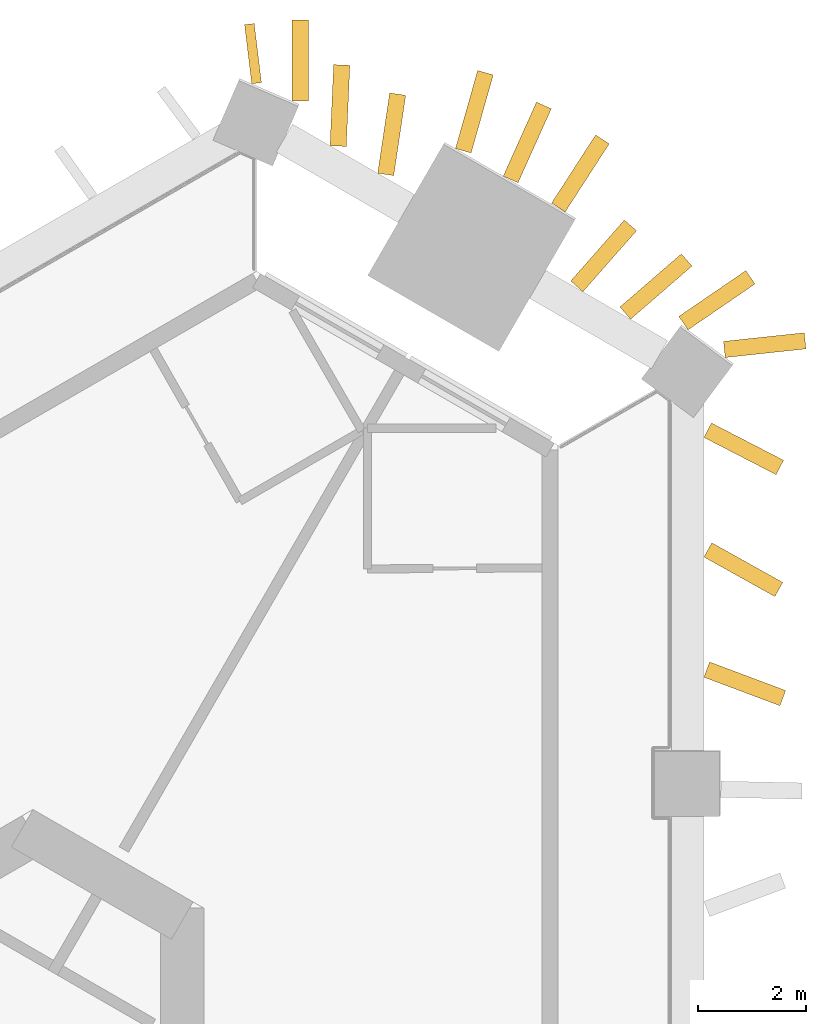
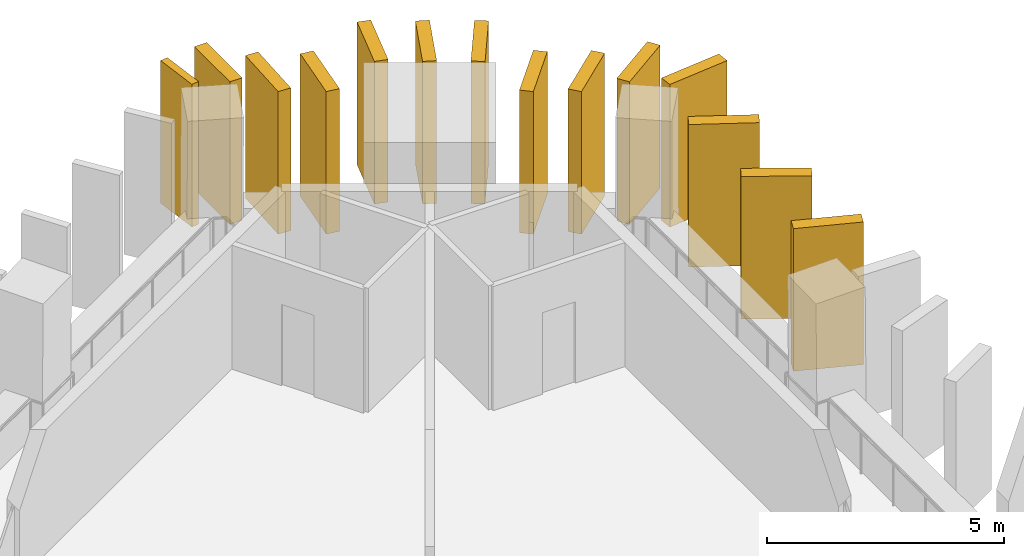
# One storey, part 10 of 10: 14 shading devices.
"""IFC4 building model written with IfcOpenShell, lengths in metres."""

from ifc_helpers import new_model, si_unit, direction, frame, frame_2d, origin, place, context, subcontext, project, spatial, rectangle, extrude, material, layer, layer_set, type_object, element, save


model = new_model("IFC4")

# Units and contexts
model_context = context("Model", 3, precision=1e-05, world=origin(), true_north=direction((0.0, 1.0)))
body_context = subcontext(model_context, "Body", "Model", "MODEL_VIEW")
ifc_project = project(units=[si_unit("LENGTHUNIT", "METRE"), si_unit("AREAUNIT", "SQUARE_METRE"), si_unit("VOLUMEUNIT", "CUBIC_METRE"), si_unit("PLANEANGLEUNIT", "RADIAN"), si_unit("MASSUNIT", "GRAM", prefix="KILO")], contexts=[model_context])

# Site, building, storey
site_placement = place(None, origin())
site = spatial("IfcSite", under=ifc_project, at=site_placement, CompositionType="ELEMENT")
building_placement = place(site_placement, origin())
building = spatial("IfcBuilding", under=site, at=building_placement, Name="Jabali Bay Hotel Tower and Convention Centre", CompositionType="ELEMENT")
storey_placement = place(building_placement, frame((0.0, 0.0, 41.10009765625)))
storey = spatial("IfcBuildingStorey", under=building, at=storey_placement, Name="L08", CompositionType="ELEMENT", Elevation=41.10009765625)

# Shading devices
ifc_material = material(Name="Precast concrete C60", Category="concrete")
ifc_layer_1 = layer(ifc_material, 0.179931640625)
ifc_layer_set_1 = layer_set([ifc_layer_1], Name="Precast concrete C60")
shading_device_type_1 = type_object("IfcShadingDeviceType", Name="Precast fin 3680 x 1100", PredefinedType="USERDEFINED", material=ifc_layer_set_1)
shading_device_1_placement = place(storey_placement, frame((90.85400390625, 117.367919921875, 0.010009765625), z_axis=(0.0, 0.0, 1.0), x_axis=(-0.120974355957, 0.992655632735, 0.0)))
element("IfcShadingDevice", 1, at=shading_device_1_placement, inside=storey, type_object=shading_device_type_1, Name="Fin L08 116", ObjectType="FIN", PredefinedType="USERDEFINED", context=body_context, shape_type="SweptSolid", body=[
    extrude(rectangle(XDim=1.099853515625, YDim=0.179931640625, at=frame_2d((0.5498046875, 0.0))), origin(), (0.0, 0.0, 1.0), 3.679931640625),
])
ifc_layer_2 = layer(ifc_material, 0.300048828125)
ifc_layer_set_2 = layer_set([ifc_layer_2], Name="Precast concrete C60")
shading_device_type_2 = type_object("IfcShadingDeviceType", Name="Precast fin 3680 x 1500", PredefinedType="USERDEFINED", material=ifc_layer_set_2)
for number, where, z_axis, x_axis, name in (
    (2, (99.1708984375, 106.534423828125, 0.010009765625), (0.0, 0.0, 1.0), (0.936402736942, -0.350927220728, 0.0), "Fin L08 026"),
    (3, (99.19140625, 108.74560546875, 0.010009765625), (0.0, 0.0, 1.0), (0.873226695881, -0.487314208289, 0.0), "Fin L08 027"),
    (4, (99.18701171875, 110.956787109375, 0.010009765625), (0.0, 0.0, 1.0), (0.88862493644, -0.458634628368, 0.0), "Fin L08 028"),
    (5, (98.739013671875, 112.934814453125, 0.010009765625), (0.0, 0.0, 1.0), (0.825151540912, 0.564911439547, 0.0), "Fin L08 029"),
    (6, (97.665283203125, 113.120361328125, 0.010009765625), (0.0, 0.0, 1.0), (0.755984355904, 0.654589683411, 0.0), "Fin L08 030"),
    (7, (96.76953125, 113.61474609375, 0.010009765625), (0.0, 0.0, 1.0), (0.66075996211, 0.750597277155, 0.0), "Fin L08 031"),
    (8, (96.428955078125, 115.070556640625, 0.010009765625), (0.0, 0.0, 1.0), (0.54250868088, 0.840050195625, 0.0), "Fin L08 032"),
):
    element("IfcShadingDevice", number, at=place(storey_placement, frame(where, z_axis=z_axis, x_axis=x_axis)), inside=storey, type_object=shading_device_type_2, Name=name, ObjectType="FIN", PredefinedType="USERDEFINED", context=body_context, shape_type="SweptSolid", body=[
        extrude(rectangle(XDim=1.5, YDim=0.300048828125, at=frame_2d((0.75, 0.0))), origin(), (0.0, 0.0, 1.0), 3.679931640625),
    ])
shading_device_2_placement = place(storey_placement, frame((95.547119140625, 115.588623046875, 0.010009765625), z_axis=(0.0, 0.0, 1.0), x_axis=(0.409383042566, 0.912362605798, 0.0)))
element("IfcShadingDevice", 9, at=shading_device_2_placement, inside=storey, type_object=shading_device_type_2, Name="Fin L08 033", ObjectType="FIN", PredefinedType="USERDEFINED", context=body_context, shape_type="SweptSolid", body=[
    extrude(rectangle(XDim=1.499755859375, YDim=0.300048828125, at=frame_2d((0.75, 0.0))), origin(), (0.0, 0.0, 1.0), 3.679931640625),
])
shading_device_3_placement = place(storey_placement, frame((94.672119140625, 116.11865234375, 0.010009765625), z_axis=(0.0, 0.0, 1.0), x_axis=(0.273280513115, 0.961934385055, 0.0)))
element("IfcShadingDevice", 10, at=shading_device_3_placement, inside=storey, type_object=shading_device_type_2, Name="Fin L08 034", ObjectType="FIN", PredefinedType="USERDEFINED", context=body_context, shape_type="SweptSolid", body=[
    extrude(rectangle(XDim=1.5, YDim=0.300048828125, at=frame_2d((0.75, 0.0))), origin(), (0.0, 0.0, 1.0), 3.679931640625),
])
shading_device_4_placement = place(storey_placement, frame((93.2392578125, 115.6826171875, 0.010009765625), z_axis=(0.0, 0.0, 1.0), x_axis=(0.147639951483, 0.989041174434, 0.0)))
element("IfcShadingDevice", 11, at=shading_device_4_placement, inside=storey, type_object=shading_device_type_2, Name="Fin L08 035", ObjectType="FIN", PredefinedType="USERDEFINED", context=body_context, shape_type="SweptSolid", body=[
    extrude(rectangle(XDim=1.499755859375, YDim=0.300048828125, at=frame_2d((0.75, 0.0))), origin(), (0.0, 0.0, 1.0), 3.679931640625),
])
for number, where, z_axis, x_axis, name in (
    (12, (92.360595703125, 116.2060546875, 0.010009765625), (0.0, 0.0, 1.0), (0.044433101147, 0.999012362047, 0.0), "Fin L08 036"),
    (13, (91.658203125, 117.035400390625, 0.010009765625), (0.0, 0.0, 1.0), (0.0, 1.0, 0.0), "Fin L08 037"),
    (14, (99.49560546875, 112.448974609375, 0.010009765625), (0.0, 0.0, 1.0), (0.994335600857, 0.106285995639, 0.0), "Fin L08 115"),
):
    element("IfcShadingDevice", number, at=place(storey_placement, frame(where, z_axis=z_axis, x_axis=x_axis)), inside=storey, type_object=shading_device_type_2, Name=name, ObjectType="FIN", PredefinedType="USERDEFINED", context=body_context, shape_type="SweptSolid", body=[
        extrude(rectangle(XDim=1.5, YDim=0.300048828125, at=frame_2d((0.75, 0.0))), origin(), (0.0, 0.0, 1.0), 3.679931640625),
    ])

save(model, "model.ifc")
